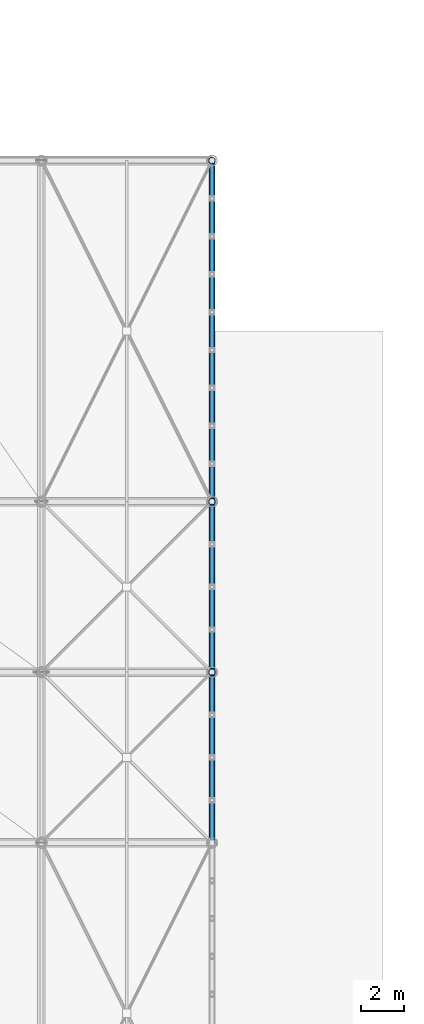
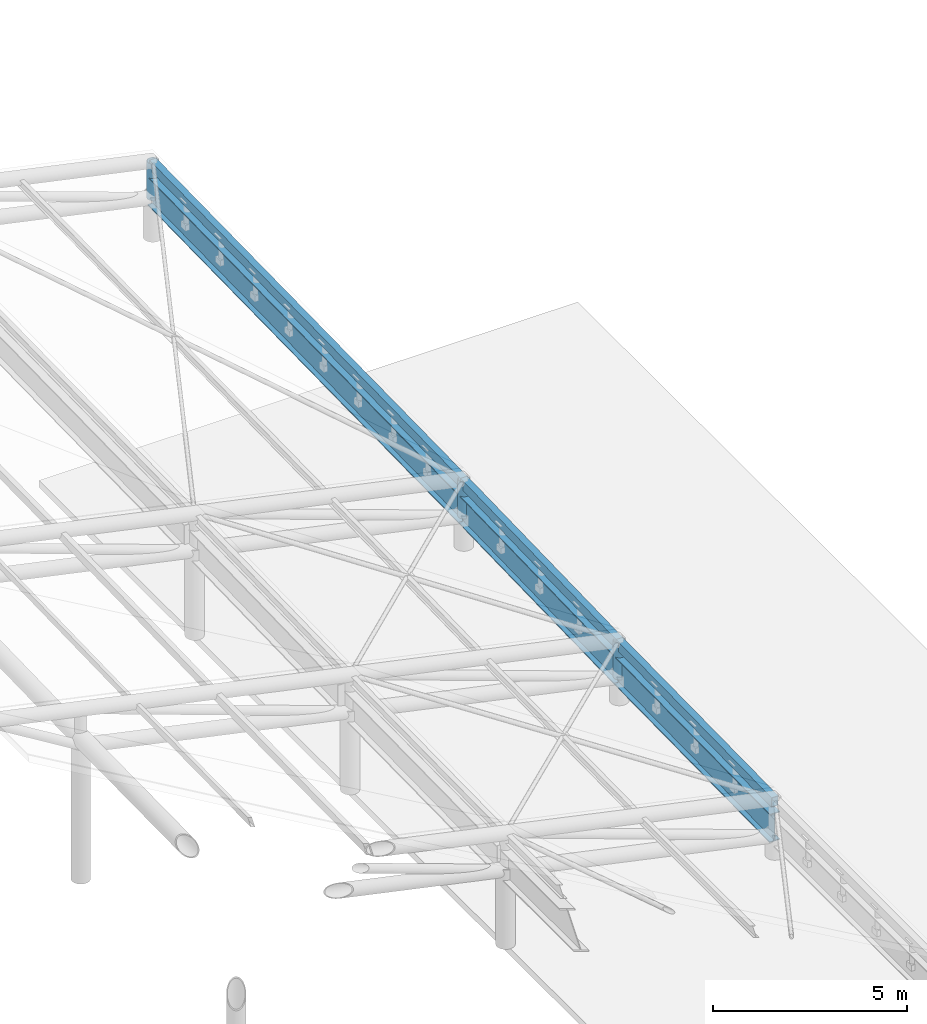
# One storey, part 20 of 41: 6 beams, 3 members.
"""IFC4 building model written with IfcOpenShell, lengths in metres."""

from ifc_helpers import new_model, si_unit, direction, frame, origin, origin_2d, place, context, subcontext, project, spatial, hollow_rectangle, hollow_circle, i_section, extrude, material, material_profile, profile_set, type_object, element, save


model = new_model("IFC4")

# Units and contexts
model_context = context("Model", 3, precision=1e-05, world=origin(), true_north=direction((0.0, 1.0)))
body_context = subcontext(model_context, "Body", "Model", "MODEL_VIEW")
ifc_project = project(units=[si_unit("LENGTHUNIT", "METRE"), si_unit("AREAUNIT", "SQUARE_METRE"), si_unit("VOLUMEUNIT", "CUBIC_METRE"), si_unit("PLANEANGLEUNIT", "RADIAN"), si_unit("MASSUNIT", "GRAM", prefix="KILO")], contexts=[model_context])

# Site, building, storey
site_placement = place(None, origin())
site = spatial("IfcSite", under=ifc_project, at=site_placement, CompositionType="ELEMENT")
building_placement = place(site_placement, origin())
building = spatial("IfcBuilding", under=site, at=building_placement, Name="Haebicheon Civic Stadium", CompositionType="ELEMENT")
storey_placement = place(building_placement, frame((0.0, 0.0, 27.0)))
storey = spatial("IfcBuildingStorey", under=building, at=storey_placement, Name="L07", CompositionType="ELEMENT", Elevation=27.0)

# Beams
ifc_material_1 = material(Name="White painted steel SM490", Category="steel")
ifc_material_profile_1 = material_profile(ifc_material_1, i_section(OverallWidth=0.300048828125, OverallDepth=0.89990234375, WebThickness=0.01611328125, FlangeThickness=0.028076171875, at=origin_2d()), Name="H-900x300x16x28")
ifc_profile_set_1 = profile_set([ifc_material_profile_1], Name="White painted steel SM490")
beam_type_1 = type_object("IfcBeamType", Name="RB-ST-H900B", PredefinedType="USERDEFINED", material=ifc_profile_set_1)
beam_1_placement = place(storey_placement, frame((152.0, 104.0, 0.867919921875), z_axis=(0.0, 0.999879851243, 0.01550106703), x_axis=(-1.0, 0.0, 0.0)))
element("IfcBeam", 1, at=beam_1_placement, inside=storey, type_object=beam_type_1, material=ifc_profile_set_1, Name="CAN-EAST polygonal ring beam RB-BCK bay 6", ObjectType="RING BEAM", PredefinedType="USERDEFINED", context=body_context, shape_type="SweptSolid", body=[
    extrude(i_section(OverallWidth=0.300048828125, OverallDepth=0.89990234375, WebThickness=0.01611328125, FlangeThickness=0.028076171875, at=origin_2d()), origin(), (0.0, 0.0, 1.0), 8.0009765625),
])
beam_2_placement = place(storey_placement, frame((152.0, 112.0, 0.991943359375), z_axis=(0.0, 0.999668457655, 0.025748296456), x_axis=(-1.0, 0.0, 0.0)))
element("IfcBeam", 2, at=beam_2_placement, inside=storey, type_object=beam_type_1, material=ifc_profile_set_1, Name="CAN-EAST polygonal ring beam RB-BCK bay 7", ObjectType="RING BEAM", PredefinedType="USERDEFINED", context=body_context, shape_type="SweptSolid", body=[
    extrude(i_section(OverallWidth=0.300048828125, OverallDepth=0.89990234375, WebThickness=0.01611328125, FlangeThickness=0.028076171875, at=origin_2d()), origin(), (0.0, 0.0, 1.0), 8.002685546875),
])
beam_3_placement = place(storey_placement, frame((152.0, 120.0, 1.197998046875), z_axis=(0.0, 0.999836842422, 0.018063458579), x_axis=(-1.0, 0.0, 0.0)))
element("IfcBeam", 3, at=beam_3_placement, inside=storey, type_object=beam_type_1, material=ifc_profile_set_1, Name="CAN-EAST polygonal ring beam RB-BCK bay 8", ObjectType="RING BEAM", PredefinedType="USERDEFINED", context=body_context, shape_type="SweptSolid", body=[
    extrude(i_section(OverallWidth=0.300048828125, OverallDepth=0.89990234375, WebThickness=0.01611328125, FlangeThickness=0.028076171875, at=origin_2d()), origin(), (0.0, 0.0, 1.0), 16.002685546875),
])
ifc_material_2 = material(Name="White painted steel SM490", Category="steel")
ifc_material_profile_2 = material_profile(ifc_material_2, hollow_rectangle(XDim=0.199951171875, YDim=0.300048828125, WallThickness=0.011962890625, at=origin_2d()), Name="RHS-300x200x12.0")
ifc_profile_set_2 = profile_set([ifc_material_profile_2], Name="White painted steel SM490")
beam_type_2 = type_object("IfcBeamType", Name="RB-ST-RHS300", PredefinedType="USERDEFINED", material=ifc_profile_set_2)
beam_4_placement = place(storey_placement, frame((152.0, 104.0, 1.66796875), z_axis=(0.0, 0.999879851243, 0.01550106703), x_axis=(-1.0, 0.0, 0.0)))
element("IfcBeam", 4, at=beam_4_placement, inside=storey, type_object=beam_type_2, material=ifc_profile_set_2, Name="CAN-EAST polygonal ring beam RB-TOP bay 6", ObjectType="RING BEAM", PredefinedType="USERDEFINED", context=body_context, shape_type="SweptSolid", body=[
    extrude(hollow_rectangle(XDim=0.199951171875, YDim=0.300048828125, WallThickness=0.011962890625, at=origin_2d()), origin(), (0.0, 0.0, 1.0), 8.0009765625),
])
beam_5_placement = place(storey_placement, frame((152.0, 112.0, 1.7919921875), z_axis=(0.0, 0.999668457655, 0.025748296456), x_axis=(-1.0, 0.0, 0.0)))
element("IfcBeam", 5, at=beam_5_placement, inside=storey, type_object=beam_type_2, material=ifc_profile_set_2, Name="CAN-EAST polygonal ring beam RB-TOP bay 7", ObjectType="RING BEAM", PredefinedType="USERDEFINED", context=body_context, shape_type="SweptSolid", body=[
    extrude(hollow_rectangle(XDim=0.199951171875, YDim=0.300048828125, WallThickness=0.011962890625, at=origin_2d()), origin(), (0.0, 0.0, 1.0), 8.002685546875),
])
beam_6_placement = place(storey_placement, frame((152.0, 120.0, 1.998046875), z_axis=(0.0, 0.999836842422, 0.018063458579), x_axis=(-1.0, 0.0, 0.0)))
element("IfcBeam", 6, at=beam_6_placement, inside=storey, type_object=beam_type_2, material=ifc_profile_set_2, Name="CAN-EAST polygonal ring beam RB-TOP bay 8", ObjectType="RING BEAM", PredefinedType="USERDEFINED", context=body_context, shape_type="SweptSolid", body=[
    extrude(hollow_rectangle(XDim=0.199951171875, YDim=0.300048828125, WallThickness=0.011962890625, at=origin_2d()), origin(), (0.0, 0.0, 1.0), 16.002685546875),
])

# Members
ifc_material_3 = material(Name="White painted steel SM490", Category="steel")
ifc_material_profile_3 = material_profile(ifc_material_3, hollow_circle(Radius=0.1591796875, WallThickness=0.013916015625, at=origin_2d()), Name="CHS-318.5x14.0")
ifc_profile_set_3 = profile_set([ifc_material_profile_3], Name="White painted steel SM490")
member_type = type_object("IfcMemberType", Name="STR-CHS318", PredefinedType="STRUT", material=ifc_profile_set_3)
member_placement = place(storey_placement, frame((152.0, 112.0, 0.741943359375), z_axis=(0.0, 0.0, 1.0), x_axis=(1.0, 0.0, 0.0)))
element("IfcMember", 7, at=member_placement, inside=storey, type_object=member_type, material=ifc_profile_set_3, Name="ST318 web strut CAN-EAST truss 7 VB", PredefinedType="STRUT", context=body_context, shape_type="SweptSolid", body=[
    extrude(hollow_circle(Radius=0.1591796875, WallThickness=0.013916015625, at=origin_2d()), origin(), (0.0, 0.0, 1.0), 1.150146484375),
])
for number, where, z_axis, x_axis, name in (
    (8, (152.0, 120.0, 0.947998046875), (0.0, 0.0, 1.0), (1.0, 0.0, 0.0), "ST318 web strut CAN-EAST truss 8 VB"),
    (9, (152.0, 136.0, 1.237060546875), (0.0, 0.0, 1.0), (1.0, 0.0, 0.0), "ST318 web strut CAN-EAST truss 9 VB"),
):
    element("IfcMember", number, at=place(storey_placement, frame(where, z_axis=z_axis, x_axis=x_axis)), inside=storey, type_object=member_type, material=ifc_profile_set_3, Name=name, PredefinedType="STRUT", context=body_context, shape_type="SweptSolid", body=[
        extrude(hollow_circle(Radius=0.1591796875, WallThickness=0.013916015625, at=origin_2d()), origin(), (0.0, 0.0, 1.0), 1.14990234375),
    ])

save(model, "model.ifc")
